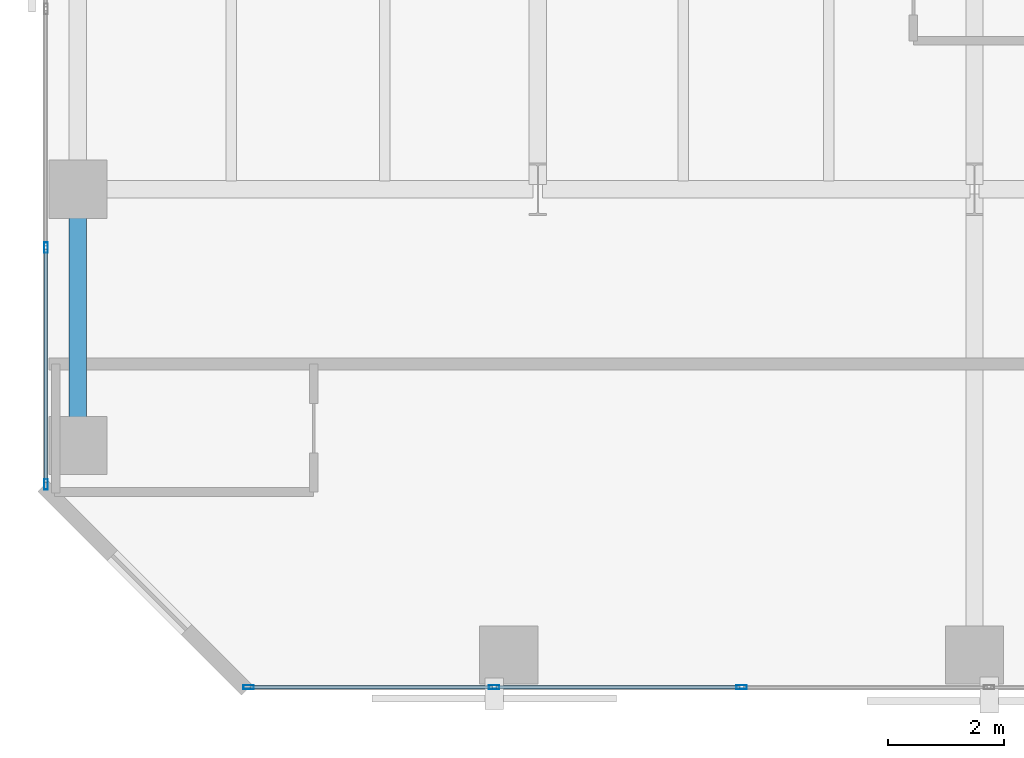
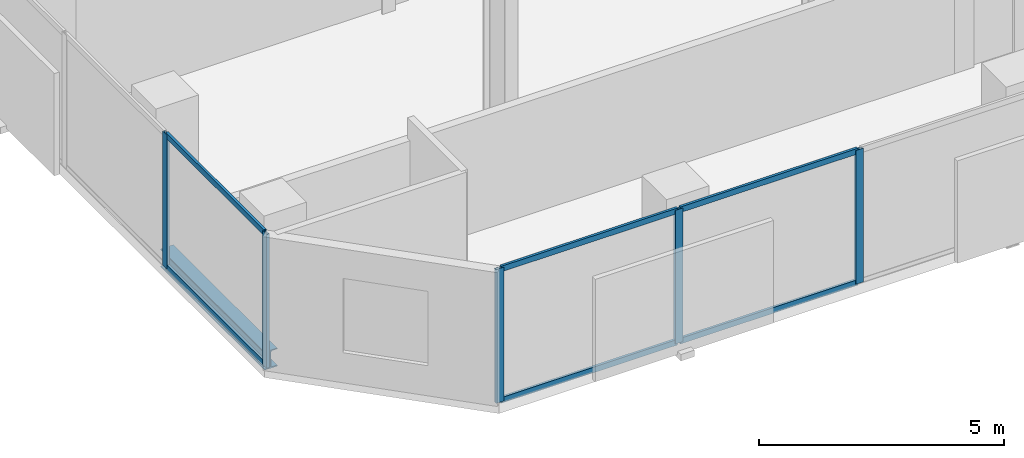
# One storey, part 2 of 31: 11 members, 1 beam, 2 elements without a shape of their own.
"""IFC4 building model written with IfcOpenShell, lengths in metres."""

from ifc_helpers import new_model, si_unit, direction, frame, origin, origin_2d, place, context, subcontext, project, spatial, hollow_rectangle, i_section, extrude, material, layer, layer_set, material_profile, profile_set, type_object, element, aggregate, save


model = new_model("IFC4")

# Units and contexts
model_context = context("Model", 3, precision=1e-05, world=origin(), true_north=direction((0.0, 1.0)))
body_context = subcontext(model_context, "Body", "Model", "MODEL_VIEW")
ifc_project = project(units=[si_unit("LENGTHUNIT", "METRE"), si_unit("AREAUNIT", "SQUARE_METRE"), si_unit("VOLUMEUNIT", "CUBIC_METRE"), si_unit("PLANEANGLEUNIT", "RADIAN"), si_unit("MASSUNIT", "GRAM", prefix="KILO")], contexts=[model_context])

# Site, building, storey
site_placement = place(None, origin())
site = spatial("IfcSite", under=ifc_project, at=site_placement, CompositionType="ELEMENT")
building_placement = place(site_placement, origin())
building = spatial("IfcBuilding", under=site, at=building_placement, Name="Catumbela Crestline Tower", CompositionType="ELEMENT")
storey_placement = place(building_placement, frame((0.0, 0.0, 36.6)))
storey = spatial("IfcBuildingStorey", under=building, at=storey_placement, Name="L08", CompositionType="ELEMENT", Elevation=36.6)

# Curtain wall, members
ifc_material_1 = material(Name="Aluminium alloy AW-6060-T66", Category="aluminium")
ifc_layer = layer(ifc_material_1, 0.18, Name="Aluminium alloy AW-6060-T66")
ifc_layer_set = layer_set([ifc_layer], Name="Aluminium alloy AW-6060-T66")
curtain_wall_type = type_object("IfcCurtainWallType", Name="CWU-Z1", PredefinedType="USERDEFINED", material=ifc_layer_set)
curtain_wall_1_placement = place(storey_placement, origin())
curtain_wall_1 = element("IfcCurtainWall", 1, at=curtain_wall_1_placement, inside=storey, type_object=curtain_wall_type, Name="L08 Unitised Curtain Wall CW-L08-E0S1", ObjectType="UNITISED", PredefinedType="USERDEFINED")
ifc_material_profile_1 = material_profile(ifc_material_1, hollow_rectangle(XDim=0.065, YDim=0.18, WallThickness=0.004, at=origin_2d()), Name="ALU 180x65x4")
ifc_profile_set_1 = profile_set([ifc_material_profile_1], Name="Aluminium alloy AW-6060-T66")
member_type_1 = type_object("IfcMemberType", Name="MUL-180X65", PredefinedType="MULLION", material=ifc_profile_set_1)
member_1_placement = place(storey_placement, frame((3.5325, 0.05, 0.0), z_axis=(0.0, 0.0, 1.0), x_axis=(0.0, 1.0, 0.0)))
member_1 = element("IfcMember", 2, at=member_1_placement, type_object=member_type_1, Name="CWU-Z1 mullion 1", PredefinedType="MULLION", context=body_context, shape_type="SweptSolid", body=[
    extrude(hollow_rectangle(XDim=0.065, YDim=0.18, WallThickness=0.004, at=origin_2d()), origin(), (0.0, 0.0, 1.0), 3.33),
])
member_2_placement = place(storey_placement, frame((7.75, 0.05, 0.0), z_axis=(0.0, 0.0, 1.0), x_axis=(0.0, 1.0, 0.0)))
member_2 = element("IfcMember", 3, at=member_2_placement, type_object=member_type_1, Name="CWU-Z1 mullion 2", PredefinedType="MULLION", context=body_context, shape_type="SweptSolid", body=[
    extrude(hollow_rectangle(XDim=0.065, YDim=0.18, WallThickness=0.004, at=origin_2d()), origin(), (0.0, 0.0, 1.0), 3.33),
])
member_3_placement = place(storey_placement, frame((12.0, 0.05, 0.0), z_axis=(0.0, 0.0, 1.0), x_axis=(0.0, 1.0, 0.0)))
member_3 = element("IfcMember", 4, at=member_3_placement, type_object=member_type_1, Name="CWU-Z1 mullion 3", PredefinedType="MULLION", context=body_context, shape_type="SweptSolid", body=[
    extrude(hollow_rectangle(XDim=0.065, YDim=0.18, WallThickness=0.004, at=origin_2d()), origin(), (0.0, 0.0, 1.0), 3.33),
])

curtain_wall_2_placement = place(storey_placement, origin())
curtain_wall_2 = element("IfcCurtainWall", 5, at=curtain_wall_2_placement, inside=storey, type_object=curtain_wall_type, Name="L08 Unitised Curtain Wall CW-L08-E9S1", ObjectType="UNITISED", PredefinedType="USERDEFINED")
member_4_placement = place(storey_placement, frame((0.05, 7.6, 0.0), z_axis=(0.0, 0.0, 1.0), x_axis=(1.0, 0.0, 0.0)))
member_4 = element("IfcMember", 6, at=member_4_placement, type_object=member_type_1, Name="CWU-Z1 mullion 10", PredefinedType="MULLION", context=body_context, shape_type="SweptSolid", body=[
    extrude(hollow_rectangle(XDim=0.065, YDim=0.18, WallThickness=0.004, at=origin_2d()), origin(), (0.0, 0.0, 1.0), 3.33),
])
member_5_placement = place(storey_placement, frame((0.05, 3.5325, 0.0), z_axis=(0.0, 0.0, 1.0), x_axis=(1.0, 0.0, 0.0)))
member_5 = element("IfcMember", 7, at=member_5_placement, type_object=member_type_1, Name="CWU-Z1 mullion 11", PredefinedType="MULLION", context=body_context, shape_type="SweptSolid", body=[
    extrude(hollow_rectangle(XDim=0.065, YDim=0.18, WallThickness=0.004, at=origin_2d()), origin(), (0.0, 0.0, 1.0), 3.33),
])

# Beam
ifc_material_2 = material(Name="Structural steel S355J2", Category="steel")
ifc_material_profile_2 = material_profile(ifc_material_2, i_section(OverallWidth=0.3, OverallDepth=0.45, WebThickness=0.014, FlangeThickness=0.026, FilletRadius=0.027, at=origin_2d()), Name="HEB 450")
ifc_profile_set_2 = profile_set([ifc_material_profile_2], Name="Structural steel S355J2")
beam_type = type_object("IfcBeamType", Name="BS-HEB450", PredefinedType="SPANDREL", material=ifc_profile_set_2)
beam_placement = place(storey_placement, frame((0.6, 4.28, -0.485), z_axis=(0.0, 1.0, 0.0), x_axis=(-1.0, 0.0, 0.0)))
element("IfcBeam", 8, at=beam_placement, inside=storey, type_object=beam_type, Name="L08 Spandrel SP-L08-WNS57", PredefinedType="SPANDREL", context=body_context, shape_type="SweptSolid", body=[
    extrude(i_section(OverallWidth=0.3, OverallDepth=0.45, WebThickness=0.014, FlangeThickness=0.026, FilletRadius=0.027, at=origin_2d()), origin(), (0.0, 0.0, 1.0), 4.24),
])

# Member
ifc_material_profile_3 = material_profile(ifc_material_1, hollow_rectangle(XDim=0.06, YDim=0.14, WallThickness=0.004, at=origin_2d()), Name="ALU 140x60x4")
ifc_profile_set_3 = profile_set([ifc_material_profile_3], Name="Aluminium alloy AW-6060-T66")
member_type_2 = type_object("IfcMemberType", Name="TRN-140X60", PredefinedType="USERDEFINED", material=ifc_profile_set_3)
member_6_placement = place(storey_placement, frame((3.565, 0.05, 0.03), z_axis=(1.0, 0.0, 0.0), x_axis=(0.0, 1.0, 0.0)))
member_6 = element("IfcMember", 9, at=member_6_placement, type_object=member_type_2, Name="CWU-Z1 transom 1.1", ObjectType="TRANSOM", PredefinedType="USERDEFINED", context=body_context, shape_type="SweptSolid", body=[
    extrude(hollow_rectangle(XDim=0.06, YDim=0.14, WallThickness=0.004, at=origin_2d()), origin(), (0.0, 0.0, 1.0), 4.1525),
])

member_7_placement = place(storey_placement, frame((3.565, 0.05, 3.3), z_axis=(1.0, 0.0, 0.0), x_axis=(0.0, 1.0, 0.0)))
member_7 = element("IfcMember", 10, at=member_7_placement, type_object=member_type_2, Name="CWU-Z1 transom 1.2", ObjectType="TRANSOM", PredefinedType="USERDEFINED", context=body_context, shape_type="SweptSolid", body=[
    extrude(hollow_rectangle(XDim=0.06, YDim=0.14, WallThickness=0.004, at=origin_2d()), origin(), (0.0, 0.0, 1.0), 4.1525),
])

member_8_placement = place(storey_placement, frame((7.7825, 0.05, 0.03), z_axis=(1.0, 0.0, 0.0), x_axis=(0.0, 1.0, 0.0)))
member_8 = element("IfcMember", 11, at=member_8_placement, type_object=member_type_2, Name="CWU-Z1 transom 2.1", ObjectType="TRANSOM", PredefinedType="USERDEFINED", context=body_context, shape_type="SweptSolid", body=[
    extrude(hollow_rectangle(XDim=0.06, YDim=0.14, WallThickness=0.004, at=origin_2d()), origin(), (0.0, 0.0, 1.0), 4.185),
])

member_9_placement = place(storey_placement, frame((7.7825, 0.05, 3.3), z_axis=(1.0, 0.0, 0.0), x_axis=(0.0, 1.0, 0.0)))
member_9 = element("IfcMember", 12, at=member_9_placement, type_object=member_type_2, Name="CWU-Z1 transom 2.2", ObjectType="TRANSOM", PredefinedType="USERDEFINED", context=body_context, shape_type="SweptSolid", body=[
    extrude(hollow_rectangle(XDim=0.06, YDim=0.14, WallThickness=0.004, at=origin_2d()), origin(), (0.0, 0.0, 1.0), 4.185),
])

aggregate(curtain_wall_1, [member_1, member_2, member_3, member_6, member_7, member_8, member_9])

member_10_placement = place(storey_placement, frame((0.05, 7.5675, 0.03), z_axis=(0.0, -1.0, 0.0), x_axis=(1.0, 0.0, 0.0)))
member_10 = element("IfcMember", 13, at=member_10_placement, type_object=member_type_2, Name="CWU-Z1 transom 10.1", ObjectType="TRANSOM", PredefinedType="USERDEFINED", context=body_context, shape_type="SweptSolid", body=[
    extrude(hollow_rectangle(XDim=0.06, YDim=0.14, WallThickness=0.004, at=origin_2d()), origin(), (0.0, 0.0, 1.0), 4.0025),
])

member_11_placement = place(storey_placement, frame((0.05, 7.5675, 3.3), z_axis=(0.0, -1.0, 0.0), x_axis=(1.0, 0.0, 0.0)))
member_11 = element("IfcMember", 14, at=member_11_placement, type_object=member_type_2, Name="CWU-Z1 transom 10.2", ObjectType="TRANSOM", PredefinedType="USERDEFINED", context=body_context, shape_type="SweptSolid", body=[
    extrude(hollow_rectangle(XDim=0.06, YDim=0.14, WallThickness=0.004, at=origin_2d()), origin(), (0.0, 0.0, 1.0), 4.0025),
])

aggregate(curtain_wall_2, [member_4, member_5, member_10, member_11])

save(model, "model.ifc")
